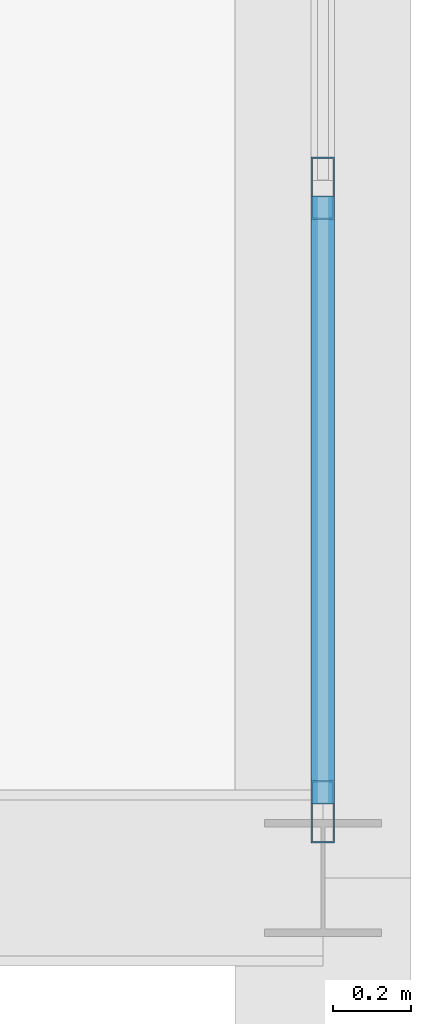
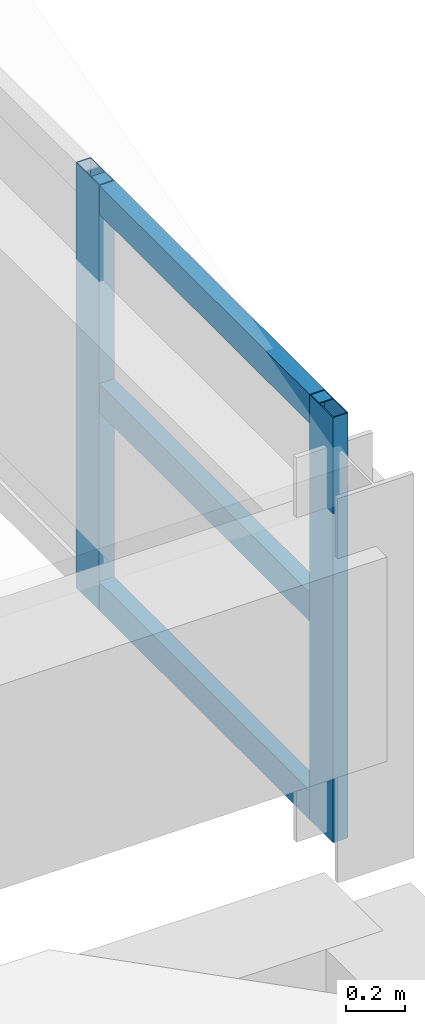
# One storey, part 55 of 82: 5 members, 1 element without a shape of its own.
"""IFC4 building model written with IfcOpenShell, lengths in metres."""

from ifc_helpers import new_model, si_unit, direction, frame, origin, origin_2d, place, context, subcontext, project, spatial, hollow_rectangle, extrude, material, layer, layer_set, material_profile, profile_set, type_object, element, aggregate, save


model = new_model("IFC4")

# Units and contexts
model_context = context("Model", 3, precision=1e-05, world=origin(), true_north=direction((0.0, 1.0)))
body_context = subcontext(model_context, "Body", "Model", "MODEL_VIEW")
ifc_project = project(units=[si_unit("LENGTHUNIT", "METRE"), si_unit("AREAUNIT", "SQUARE_METRE"), si_unit("VOLUMEUNIT", "CUBIC_METRE"), si_unit("PLANEANGLEUNIT", "RADIAN"), si_unit("MASSUNIT", "GRAM", prefix="KILO")], contexts=[model_context])

# Site, building, storey
site_placement = place(None, origin())
site = spatial("IfcSite", under=ifc_project, at=site_placement, CompositionType="ELEMENT")
building_placement = place(site_placement, origin())
building = spatial("IfcBuilding", under=site, at=building_placement, Name="Mersad Railyard Sports Hall", CompositionType="ELEMENT")
storey_placement = place(building_placement, frame((0.0, 0.0, 13.199951171875)))
storey = spatial("IfcBuildingStorey", under=building, at=storey_placement, Name="L03", CompositionType="ELEMENT", Elevation=13.199951171875)

# Curtain wall, members
ifc_material = material(Name="Aluminium 6063-T6", Category="aluminium")
ifc_layer = layer(ifc_material, 0.159912109375)
ifc_layer_set = layer_set([ifc_layer], Name="Aluminium 6063-T6")
curtain_wall_type = type_object("IfcCurtainWallType", Name="ARC-CW-CW21", PredefinedType="USERDEFINED", material=ifc_layer_set)
curtain_wall_placement = place(storey_placement, origin())
curtain_wall = element("IfcCurtainWall", 1, at=curtain_wall_placement, inside=storey, type_object=curtain_wall_type, Name="Curtain wall CW21-0060", ObjectType="CURTAIN WALL", PredefinedType="USERDEFINED")
ifc_material_profile_1 = material_profile(ifc_material, hollow_rectangle(XDim=0.06005859375, YDim=0.159912109375, WallThickness=0.00390625, at=origin_2d()), Name="AL MULLION 60x160x4")
ifc_profile_set_1 = profile_set([ifc_material_profile_1], Name="Aluminium 6063-T6")
member_type_1 = type_object("IfcMemberType", Name="ARC-CW-MUL01", PredefinedType="MULLION", material=ifc_profile_set_1)
member_1_placement = place(storey_placement, frame((179.0, 75.264404296875, -0.02001953125), z_axis=(0.0, 0.0, 1.0), x_axis=(1.0, 0.0, 0.0)))
member_1 = element("IfcMember", 2, at=member_1_placement, type_object=member_type_1, Name="CW21 Mullion 7", PredefinedType="MULLION", context=body_context, shape_type="SweptSolid", body=[
    extrude(hollow_rectangle(XDim=0.06005859375, YDim=0.159912109375, WallThickness=0.00390625, at=origin_2d()), origin(), (0.0, 0.0, 1.0), 1.77001953125),
])
member_2_placement = place(storey_placement, frame((179.0, 73.669921875, -0.02001953125), z_axis=(0.0, 0.0, 1.0), x_axis=(1.0, 0.0, 0.0)))
member_2 = element("IfcMember", 3, at=member_2_placement, type_object=member_type_1, Name="CW21 Mullion 8", PredefinedType="MULLION", context=body_context, shape_type="SweptSolid", body=[
    extrude(hollow_rectangle(XDim=0.06005859375, YDim=0.159912109375, WallThickness=0.00390625, at=origin_2d()), origin(), (0.0, 0.0, 1.0), 1.77001953125),
])
ifc_material_profile_2 = material_profile(ifc_material, hollow_rectangle(XDim=0.06005859375, YDim=0.1201171875, WallThickness=0.00390625, at=origin_2d()), Name="AL TRANSOM 60x120x4")
ifc_profile_set_2 = profile_set([ifc_material_profile_2], Name="Aluminium 6063-T6")
member_type_2 = type_object("IfcMemberType", Name="ARC-CW-TRN01", PredefinedType="USERDEFINED", material=ifc_profile_set_2)
member_3_placement = place(storey_placement, frame((179.0, 75.244384765625, 0.0400390625), z_axis=(0.0, -1.0, 0.0), x_axis=(1.0, 0.0, 0.0)))
member_3 = element("IfcMember", 4, at=member_3_placement, type_object=member_type_2, Name="CW21 Transom 1-7", ObjectType="TRANSOM", PredefinedType="USERDEFINED", context=body_context, shape_type="SweptSolid", body=[
    extrude(hollow_rectangle(XDim=0.06005859375, YDim=0.1201171875, WallThickness=0.00390625, at=origin_2d()), origin(), (0.0, 0.0, 1.0), 1.554443359375),
])
member_4_placement = place(storey_placement, frame((179.0, 75.244384765625, 0.864990234375), z_axis=(0.0, -1.0, 0.0), x_axis=(1.0, 0.0, 0.0)))
member_4 = element("IfcMember", 5, at=member_4_placement, type_object=member_type_2, Name="CW21 Transom 2-7", ObjectType="TRANSOM", PredefinedType="USERDEFINED", context=body_context, shape_type="SweptSolid", body=[
    extrude(hollow_rectangle(XDim=0.06005859375, YDim=0.1201171875, WallThickness=0.00390625, at=origin_2d()), origin(), (0.0, 0.0, 1.0), 1.554443359375),
])
member_5_placement = place(storey_placement, frame((179.0, 75.244384765625, 1.68994140625), z_axis=(0.0, -1.0, 0.0), x_axis=(1.0, 0.0, 0.0)))
member_5 = element("IfcMember", 6, at=member_5_placement, type_object=member_type_2, Name="CW21 Transom 3-7", ObjectType="TRANSOM", PredefinedType="USERDEFINED", context=body_context, shape_type="SweptSolid", body=[
    extrude(hollow_rectangle(XDim=0.06005859375, YDim=0.1201171875, WallThickness=0.00390625, at=origin_2d()), origin(), (0.0, 0.0, 1.0), 1.554443359375),
])
aggregate(curtain_wall, [member_1, member_2, member_3, member_4, member_5])

save(model, "model.ifc")
